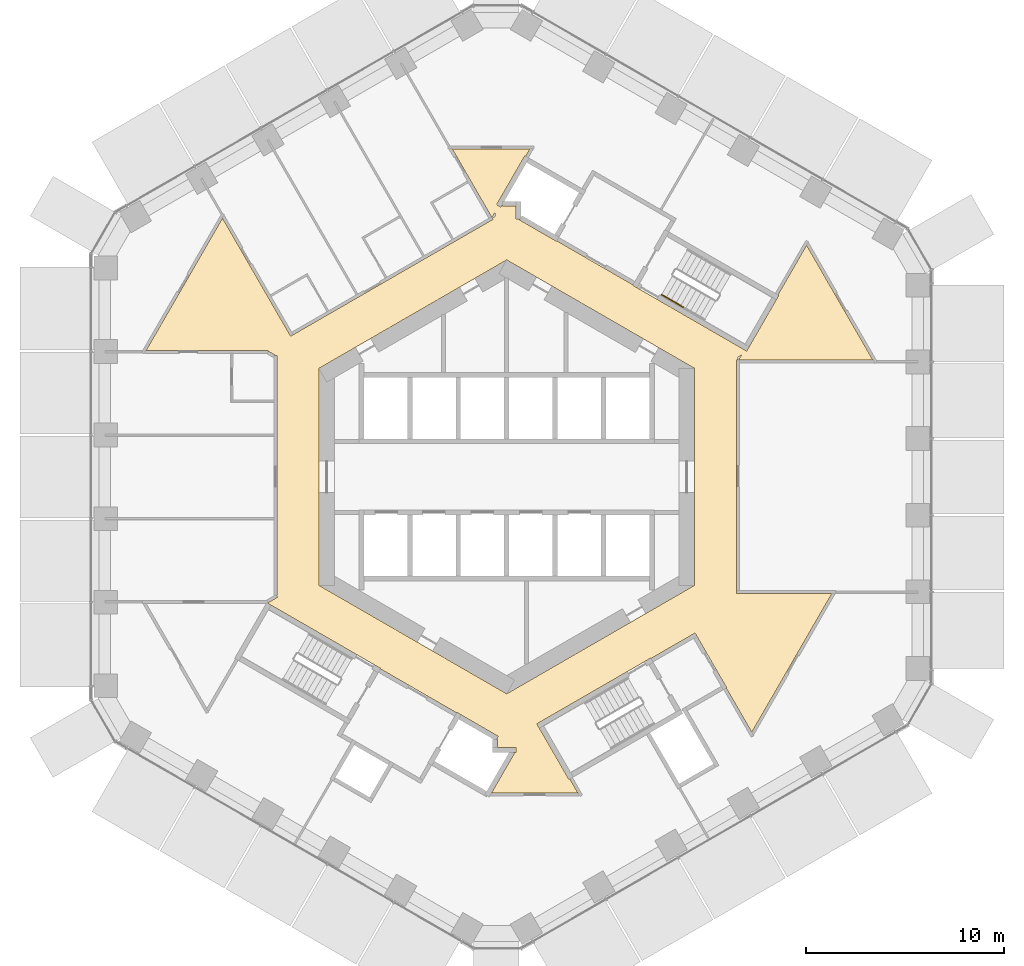
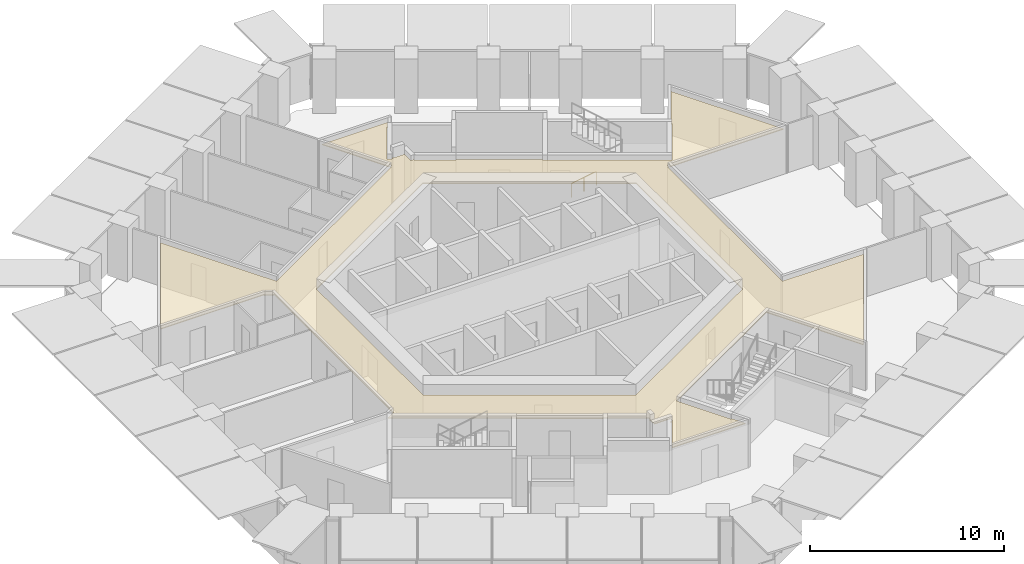
# One storey, part 18 of 19: 1 covering, 1 railing.
"""IFC4 building model written with IfcOpenShell, lengths in metres."""

from ifc_helpers import new_model, si_unit, direction, frame, origin, origin_2d, place, context, subcontext, project, spatial, polyline, circle, outline, extrude, material, layer, layer_set, type_object, element, save


model = new_model("IFC4")

# Units and contexts
model_context = context("Model", 3, precision=1e-05, world=origin(), true_north=direction((0.0, 1.0)))
body_context = subcontext(model_context, "Body", "Model", "MODEL_VIEW")
ifc_project = project(units=[si_unit("LENGTHUNIT", "METRE"), si_unit("AREAUNIT", "SQUARE_METRE"), si_unit("VOLUMEUNIT", "CUBIC_METRE"), si_unit("PLANEANGLEUNIT", "RADIAN"), si_unit("MASSUNIT", "GRAM", prefix="KILO")], contexts=[model_context])

# Site, building, storey
site_placement = place(None, origin())
site = spatial("IfcSite", under=ifc_project, at=site_placement, CompositionType="ELEMENT")
building_placement = place(site_placement, origin())
building = spatial("IfcBuilding", under=site, at=building_placement, Name="Ayvan Gate Tower", CompositionType="ELEMENT")
storey_placement = place(building_placement, frame((0.0, 0.0, 52.699951171875)))
storey = spatial("IfcBuildingStorey", under=building, at=storey_placement, Name="L13", CompositionType="ELEMENT", Elevation=52.699951171875)

# Covering
ifc_material_1 = material(Name="Plasterboard suspended ceiling")
ifc_layer = layer(ifc_material_1, 0.050048828125)
ifc_layer_set = layer_set([ifc_layer], Name="Plasterboard suspended ceiling")
covering_type = type_object("IfcCoveringType", Name="CT-SUSP-50", PredefinedType="CEILING", material=ifc_layer_set)
covering_placement = place(storey_placement, frame((0.0, 0.0, 2.699951171875)))
element("IfcCovering", 1, at=covering_placement, inside=storey, type_object=covering_type, Name="Ceiling Ring Corridor L13", PredefinedType="CEILING", context=body_context, shape_type="SweptSolid", body=[
    extrude(outline(polyline([(-12.08056640625, 6.400146484375), (-18.22900390625, 6.400146484375), (-14.372314453125, 13.080078125), (-10.927978515625, 7.114013671875), (-10.798095703125, 7.189208984375), (-0.697021484375, 13.02099609375), (-0.734619140625, 13.0859375), (-0.60009765625, 13.16357421875), (-0.60009765625, 13.36083984375), (-0.74658203125, 13.10693359375), (-0.77197265625, 13.15087890625), (-2.755859375, 16.5869140625), (1.17578125, 16.5869140625), (0.962158203125, 16.216552734375), (0.918701171875, 16.241455078125), (-0.511474609375, 13.76416015625), (-0.294921875, 13.63916015625), (-0.215576171875, 13.776611328125), (-0.215576171875, 13.68505859375), (0.47509765625, 13.68505859375), (0.47509765625, 13.03857421875), (0.672119140625, 13.03857421875), (0.645751953125, 12.992919921875), (2.518310546875, 11.91162109375), (2.53076171875, 11.933349609375), (6.384521484375, 9.70849609375), (6.3720703125, 9.686767578125), (6.588623046875, 9.561767578125), (12.131103515625, 6.36181640625), (12.24609375, 6.56103515625), (13.631103515625, 8.959716796875), (13.756103515625, 9.176513671875), (13.712890625, 9.201416015625), (15.162109375, 11.711669921875), (18.513671875, 5.90673828125), (11.72412109375, 5.90673828125), (11.870849609375, 6.160888671875), (11.699951171875, 6.062255859375), (11.699951171875, 5.90673828125), (11.625, 5.90673828125), (11.625, -5.90673828125), (16.435302734375, -5.90673828125), (12.39111328125, -12.911865234375), (11.102294921875, -10.6796875), (11.123779296875, -10.667236328125), (9.623779296875, -8.069091796875), (9.52392578125, -7.89599609375), (7.2939453125, -9.183349609375), (7.281494140625, -9.16162109375), (1.522216796875, -12.48681640625), (1.647216796875, -12.703369140625), (3.147216796875, -15.30126953125), (3.190673828125, -15.2763671875), (3.600830078125, -15.98681640625), (-0.771728515625, -15.98681640625), (0.386474609375, -13.980712890625), (0.30712890625, -13.93505859375), (0.465576171875, -13.93505859375), (0.465576171875, -13.68505859375), (-0.47509765625, -13.68505859375), (-0.47509765625, -13.28857421875), (-0.52783203125, -13.28857421875), (-0.42919921875, -13.117919921875), (-2.284423828125, -12.046630859375), (-2.518310546875, -11.91162109375), (-2.53076171875, -11.933349609375), (-6.384521484375, -9.70849609375), (-6.3720703125, -9.686767578125), (-11.897216796875, -6.49658203125), (-12.10009765625, -6.379638671875), (-11.597412109375, -6.089599609375), (-11.656494140625, -5.9873046875), (-11.625, -5.9873046875), (-11.625, 6.13720703125), (-11.743408203125, 6.13720703125), (-11.7275390625, 6.164794921875), (-12.05322265625, 6.352783203125), (-12.08056640625, 6.30517578125), (-12.08056640625, 6.400146484375)]), holes=[polyline([(-9.5, -5.48486328125), (-2.808349609375, -9.34814453125), (0.0, -10.9697265625), (2.808349609375, -9.34814453125), (9.5, -5.48486328125), (9.5, 5.48486328125), (2.808349609375, 9.34814453125), (0.0, 10.9697265625), (-2.808349609375, 9.34814453125), (-9.5, 5.48486328125), (-9.5, -5.48486328125)])]), origin(), (0.0, 0.0, 1.0), 0.050048828125),
])

# Railing
ifc_material_2 = material(Name="Stainless steel balustrade", Category="steel")
railing_type = type_object("IfcRailingType", Name="RL-HANDRAIL-900", PredefinedType="HANDRAIL", material=ifc_material_2)
railing_placement = place(storey_placement, frame((7.8310546875, 9.2138671875, 0.170166015625)))
element("IfcRailing", 2, at=railing_placement, inside=storey, type_object=railing_type, Name="L13 STS1 stair handrail 1", PredefinedType="HANDRAIL", context=body_context, shape_type="SweptSolid", body=[
    extrude(circle(Radius=0.02392578125, at=origin_2d()), frame((0.0, 0.0, 0.8759765625), z_axis=(0.740356597536, -0.427319915356, 0.518912129772), x_axis=(0.499890179513, 0.866088799389, 0.0)), (0.0, 0.0, 1.0), 1.47412109375),
    extrude(circle(Radius=0.02099609375, at=origin_2d()), origin(), (0.0, 0.0, 1.0), 0.851806640625),
    extrude(circle(Radius=0.02099609375, at=origin_2d()), frame((0.545654296875, -0.31494140625, 0.38232421875)), (0.0, 0.0, 1.0), 0.851806640625),
    extrude(circle(Radius=0.02099609375, at=origin_2d()), frame((1.09130859375, -0.6298828125, 0.764892578125)), (0.0, 0.0, 1.0), 0.851806640625),
])

save(model, "model.ifc")
